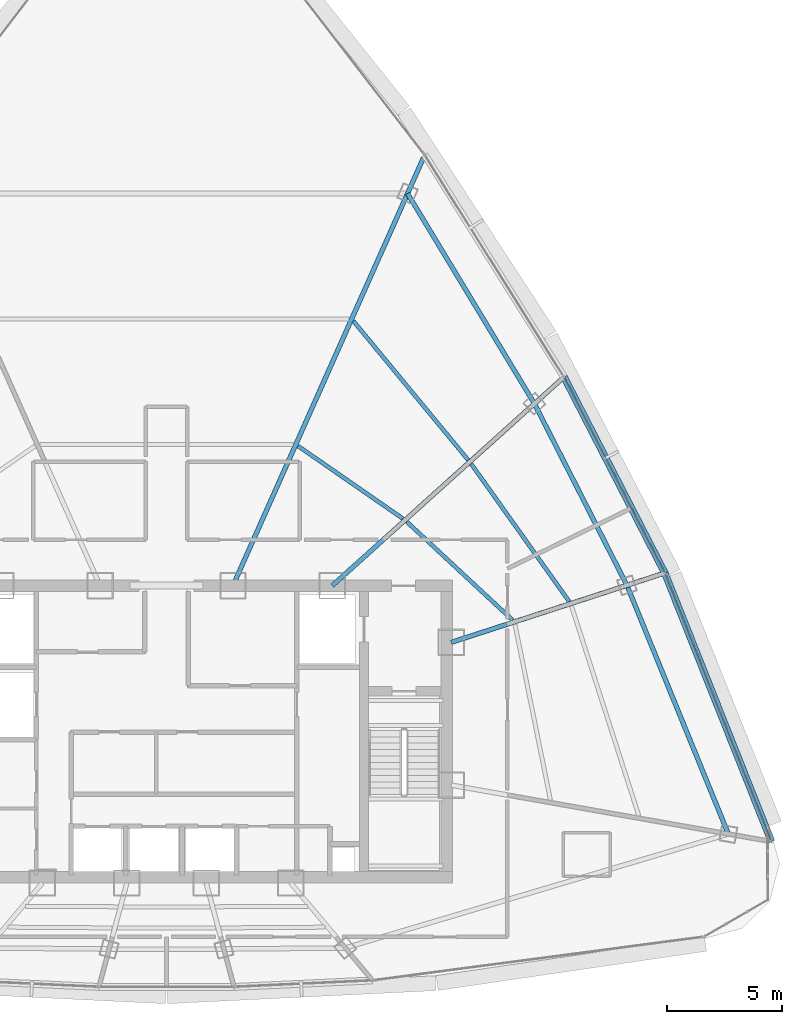
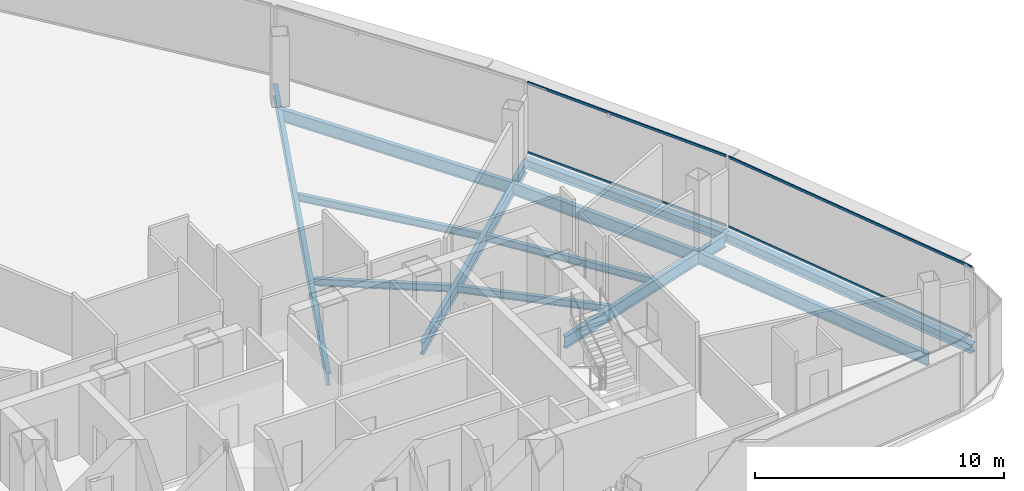
# One storey, part 13 of 29: 12 beams, 4 members, 2 elements without a shape of their own.
"""IFC4 building model written with IfcOpenShell, lengths in metres."""

from ifc_helpers import new_model, si_unit, direction, frame, origin, origin_2d, place, context, subcontext, project, spatial, hollow_rectangle, i_section, extrude, source, transform, mapped, material, layer, layer_set, material_profile, profile_set, type_object, element, aggregate, save


model = new_model("IFC4")

# Units and contexts
model_context = context("Model", 3, precision=1e-05, world=origin(), true_north=direction((0.0, 1.0)))
body_context = subcontext(model_context, "Body", "Model", "MODEL_VIEW")
ifc_project = project(units=[si_unit("LENGTHUNIT", "METRE"), si_unit("AREAUNIT", "SQUARE_METRE"), si_unit("VOLUMEUNIT", "CUBIC_METRE"), si_unit("PLANEANGLEUNIT", "RADIAN"), si_unit("MASSUNIT", "GRAM", prefix="KILO"), si_unit("THERMODYNAMICTEMPERATUREUNIT", "KELVIN"), si_unit("POWERUNIT", "WATT")], contexts=[model_context])

# Site, building, storey
site_placement = place(None, origin())
site = spatial("IfcSite", under=ifc_project, at=site_placement, CompositionType="ELEMENT")
building_placement = place(site_placement, origin())
building = spatial("IfcBuilding", under=site, at=building_placement, Name="Yunzhuo Pagoda Commons", CompositionType="ELEMENT")
storey_placement = place(building_placement, frame((0.0, 0.0, 363.010009765625)))
storey = spatial("IfcBuildingStorey", under=building, at=storey_placement, Name="L91", CompositionType="ELEMENT", Elevation=363.010009765625)

# Beams
ifc_material_1 = material(Name="Structural steel Q355B", Category="steel")
ifc_material_profile_1 = material_profile(ifc_material_1, i_section(OverallWidth=0.199951171875, OverallDepth=0.60009765625, WebThickness=0.010986328125, FlangeThickness=0.01708984375, at=origin_2d()), Name="Structural steel Q355B")
ifc_profile_set_1 = profile_set([ifc_material_profile_1], Name="Structural steel Q355B")
beam_type_1 = type_object("IfcBeamType", Name="B-RG3 Beam HN 600x200x11x17", PredefinedType="BEAM", material=ifc_profile_set_1)
shared_shape_1 = source(origin(), body_context, "Body", "SweptSolid", [
    extrude(i_section(OverallWidth=0.199951171875, OverallDepth=0.60009765625, WebThickness=0.010986328125, FlangeThickness=0.01708984375, at=origin_2d()), origin(), (0.0, 0.0, 1.0), 11.696533203125),
])
beam_1_placement = place(storey_placement, frame((72.47021484375, 29.38525390625, -0.56005859375), z_axis=(-0.377611800863, 0.925963999219, 0.0), x_axis=(-0.925963999219, -0.377611800863, 0.0)))
element("IfcBeam", 1, at=beam_1_placement, inside=storey, type_object=beam_type_1, Name="L91 column-ring beam 5", PredefinedType="BEAM", context=body_context, shape_type="MappedRepresentation", body=[
    mapped(shared_shape_1, transform((0.0, 0.0, 0.0), scale=1.0)),
])
shared_shape_2 = source(origin(), body_context, "Body", "SweptSolid", [
    extrude(i_section(OverallWidth=0.199951171875, OverallDepth=0.60009765625, WebThickness=0.010986328125, FlangeThickness=0.01708984375, at=origin_2d()), origin(), (0.0, 0.0, 1.0), 8.87939453125),
])
beam_2_placement = place(storey_placement, frame((68.053466796875, 40.2158203125, -0.56005859375), z_axis=(-0.453723535687, 0.891142498798, 0.0), x_axis=(-0.891142498798, -0.453723535687, 0.0)))
element("IfcBeam", 2, at=beam_2_placement, inside=storey, type_object=beam_type_1, Name="L91 column-ring beam 6", PredefinedType="BEAM", context=body_context, shape_type="MappedRepresentation", body=[
    mapped(shared_shape_2, transform((0.0, 0.0, 0.0), scale=1.0)),
])
shared_shape_3 = source(origin(), body_context, "Body", "SweptSolid", [
    extrude(i_section(OverallWidth=0.199951171875, OverallDepth=0.60009765625, WebThickness=0.010986328125, FlangeThickness=0.01708984375, at=origin_2d()), origin(), (0.0, 0.0, 1.0), 10.691162109375),
])
beam_3_placement = place(storey_placement, frame((64.024658203125, 48.128662109375, -0.56005859375), z_axis=(-0.516864678433, 0.856067114301, 0.0), x_axis=(-0.856067114301, -0.516864678433, 0.0)))
element("IfcBeam", 3, at=beam_3_placement, inside=storey, type_object=beam_type_1, Name="L91 column-ring beam 7", PredefinedType="BEAM", context=body_context, shape_type="MappedRepresentation", body=[
    mapped(shared_shape_3, transform((0.0, 0.0, 0.0), scale=1.0)),
])
ifc_material_profile_2 = material_profile(ifc_material_1, i_section(OverallWidth=0.175048828125, OverallDepth=0.35009765625, WebThickness=0.007080078125, FlangeThickness=0.010986328125, at=origin_2d()), Name="Structural steel Q355B")
ifc_profile_set_2 = profile_set([ifc_material_profile_2], Name="Structural steel Q355B")
beam_type_2 = type_object("IfcBeamType", Name="B-JS2 Joist HN 350x175x7x11", PredefinedType="JOIST", material=ifc_profile_set_2)
shared_shape_4 = source(origin(), body_context, "Body", "SweptSolid", [
    extrude(i_section(OverallWidth=0.175048828125, OverallDepth=0.35009765625, WebThickness=0.007080078125, FlangeThickness=0.010986328125, at=origin_2d()), origin(), (0.0, 0.0, 1.0), 6.277099609375),
])
beam_4_placement = place(storey_placement, frame((63.071044921875, 38.702392578125, -0.43505859375), z_axis=(-0.73244154109, 0.68082992655, 0.0), x_axis=(-0.68082992655, -0.73244154109, 0.0)))
element("IfcBeam", 4, at=beam_4_placement, inside=storey, type_object=beam_type_2, Name="L91 composite ring joist 1.6", PredefinedType="JOIST", context=body_context, shape_type="MappedRepresentation", body=[
    mapped(shared_shape_4, transform((0.0, 0.0, 0.0), scale=1.0)),
])
shared_shape_5 = source(origin(), body_context, "Body", "SweptSolid", [
    extrude(i_section(OverallWidth=0.175048828125, OverallDepth=0.35009765625, WebThickness=0.007080078125, FlangeThickness=0.010986328125, at=origin_2d()), origin(), (0.0, 0.0, 1.0), 7.347900390625),
])
beam_5_placement = place(storey_placement, frame((65.53759765625, 39.513671875, -0.43505859375), z_axis=(-0.580294898948, 0.814406428177, 0.0), x_axis=(-0.814406428177, -0.580294898948, 0.0)))
element("IfcBeam", 5, at=beam_5_placement, inside=storey, type_object=beam_type_2, Name="L91 composite ring joist 2.6", PredefinedType="JOIST", context=body_context, shape_type="MappedRepresentation", body=[
    mapped(shared_shape_5, transform((0.0, 0.0, 0.0), scale=1.0)),
])
shared_shape_6 = source(origin(), body_context, "Body", "SweptSolid", [
    extrude(i_section(OverallWidth=0.175048828125, OverallDepth=0.35009765625, WebThickness=0.007080078125, FlangeThickness=0.010986328125, at=origin_2d()), origin(), (0.0, 0.0, 1.0), 5.556640625),
])
beam_6_placement = place(storey_placement, frame((58.29443359375, 43.119873046875, -0.43505859375), z_axis=(-0.822084621883, 0.569365326011, 0.0), x_axis=(-0.569365326011, -0.822084621883, 0.0)))
element("IfcBeam", 6, at=beam_6_placement, inside=storey, type_object=beam_type_2, Name="L91 composite ring joist 1.7", PredefinedType="JOIST", context=body_context, shape_type="MappedRepresentation", body=[
    mapped(shared_shape_6, transform((0.0, 0.0, 0.0), scale=1.0)),
])
shared_shape_7 = source(origin(), body_context, "Body", "SweptSolid", [
    extrude(i_section(OverallWidth=0.175048828125, OverallDepth=0.35009765625, WebThickness=0.007080078125, FlangeThickness=0.010986328125, at=origin_2d()), origin(), (0.0, 0.0, 1.0), 7.842529296875),
])
beam_7_placement = place(storey_placement, frame((61.133544921875, 45.68017578125, -0.43505859375), z_axis=(-0.636899145749, 0.770947130577, 0.0), x_axis=(-0.770947130577, -0.636899145749, 0.0)))
element("IfcBeam", 7, at=beam_7_placement, inside=storey, type_object=beam_type_2, Name="L91 composite ring joist 2.7", PredefinedType="JOIST", context=body_context, shape_type="MappedRepresentation", body=[
    mapped(shared_shape_7, transform((0.0, 0.0, 0.0), scale=1.0)),
])
shared_shape_8 = source(origin(), body_context, "Body", "SweptSolid", [
    extrude(i_section(OverallWidth=0.199951171875, OverallDepth=0.60009765625, WebThickness=0.010986328125, FlangeThickness=0.01708984375, at=origin_2d()), origin(), (0.0, 0.0, 1.0), 9.62841796875),
])
beam_8_placement = place(storey_placement, frame((69.55712890625, 40.704345703125, -0.56005859375), z_axis=(-0.951057171816, -0.309014976883, 0.0), x_axis=(0.309014976883, -0.951057171816, 0.0)))
element("IfcBeam", 8, at=beam_8_placement, inside=storey, type_object=beam_type_1, Name="L91 radial floor girder F2C2", PredefinedType="BEAM", context=body_context, shape_type="MappedRepresentation", body=[
    mapped(shared_shape_8, transform((0.0, 0.0, 0.0), scale=1.0)),
])
shared_shape_9 = source(origin(), body_context, "Body", "SweptSolid", [
    extrude(i_section(OverallWidth=0.199951171875, OverallDepth=0.60009765625, WebThickness=0.010986328125, FlangeThickness=0.01708984375, at=origin_2d()), origin(), (0.0, 0.0, 1.0), 13.429931640625),
])
beam_9_placement = place(storey_placement, frame((65.199462890625, 49.186279296875, -0.56005859375), z_axis=(-0.743149501928, -0.669125412597, 0.0), x_axis=(0.669125412597, -0.743149501928, 0.0)))
element("IfcBeam", 9, at=beam_9_placement, inside=storey, type_object=beam_type_1, Name="L91 radial floor girder F2C3", PredefinedType="BEAM", context=body_context, shape_type="MappedRepresentation", body=[
    mapped(shared_shape_9, transform((0.0, 0.0, 0.0), scale=1.0)),
])
shared_shape_10 = source(origin(), body_context, "Body", "SweptSolid", [
    extrude(i_section(OverallWidth=0.199951171875, OverallDepth=0.60009765625, WebThickness=0.010986328125, FlangeThickness=0.01708984375, at=origin_2d()), origin(), (0.0, 0.0, 1.0), 20.386474609375),
])
beam_10_placement = place(storey_placement, frame((59.185791015625, 58.823974609375, -0.56005859375), z_axis=(-0.40672839734, -0.913549128836, 0.0), x_axis=(0.913549128836, -0.40672839734, 0.0)))
element("IfcBeam", 10, at=beam_10_placement, inside=storey, type_object=beam_type_1, Name="L91 radial floor girder F2C4", PredefinedType="BEAM", context=body_context, shape_type="MappedRepresentation", body=[
    mapped(shared_shape_10, transform((0.0, 0.0, 0.0), scale=1.0)),
])
ifc_material_profile_3 = material_profile(ifc_material_1, i_section(OverallWidth=0.300048828125, OverallDepth=0.43994140625, WebThickness=0.010986328125, FlangeThickness=0.01806640625, at=origin_2d()), Name="Structural steel Q355B")
ifc_profile_set_3 = profile_set([ifc_material_profile_3], Name="Structural steel Q355B")
beam_type_3 = type_object("IfcBeamType", Name="B-SP2 Beam HM 440x300x11x18", PredefinedType="BEAM", material=ifc_profile_set_3)
shared_shape_11 = source(origin(), body_context, "Body", "SweptSolid", [
    extrude(i_section(OverallWidth=0.300048828125, OverallDepth=0.43994140625, WebThickness=0.010986328125, FlangeThickness=0.01806640625, at=origin_2d()), origin(), (0.0, 0.0, 1.0), 12.58642578125),
])
beam_11_placement = place(storey_placement, frame((74.3486328125, 29.053955078125, -0.47998046875), z_axis=(-0.368974795252, 0.929439401182, 0.0), x_axis=(-0.929439401182, -0.368974795252, 0.0)))
element("IfcBeam", 11, at=beam_11_placement, inside=storey, type_object=beam_type_3, Name="L91 facade edge spandrel beam F2.1", PredefinedType="BEAM", context=body_context, shape_type="MappedRepresentation", body=[
    mapped(shared_shape_11, transform((0.0, 0.0, 0.0), scale=1.0)),
])
shared_shape_12 = source(origin(), body_context, "Body", "SweptSolid", [
    extrude(i_section(OverallWidth=0.300048828125, OverallDepth=0.43994140625, WebThickness=0.010986328125, FlangeThickness=0.01806640625, at=origin_2d()), origin(), (0.0, 0.0, 1.0), 9.600341796875),
])
beam_12_placement = place(storey_placement, frame((69.70458984375, 40.752197265625, -0.47998046875), z_axis=(-0.457265841748, 0.889330056824, 0.0), x_axis=(-0.889330056824, -0.457265841748, 0.0)))
element("IfcBeam", 12, at=beam_12_placement, inside=storey, type_object=beam_type_3, Name="L91 facade edge spandrel beam F2.2", PredefinedType="BEAM", context=body_context, shape_type="MappedRepresentation", body=[
    mapped(shared_shape_12, transform((0.0, 0.0, 0.0), scale=1.0)),
])

# Curtain wall, members
ifc_material_2 = material(Name="Anodized aluminium 6063-T6", Category="aluminium")
ifc_layer = layer(ifc_material_2, 0.139892578125)
ifc_layer_set = layer_set([ifc_layer], Name="Anodized aluminium 6063-T6")
curtain_wall_type = type_object("IfcCurtainWallType", Name="CW-HI High-Zone Ribbon Curtain Wall", PredefinedType="NOTDEFINED", material=ifc_layer_set)
curtain_wall_1_placement = place(storey_placement, origin())
curtain_wall_1 = element("IfcCurtainWall", 13, at=curtain_wall_1_placement, inside=storey, type_object=curtain_wall_type, Name="L91 curtain wall CW-L91-F2B2", PredefinedType="NOTDEFINED")
ifc_material_profile_4 = material_profile(ifc_material_2, hollow_rectangle(XDim=0.054931640625, YDim=0.1201171875, WallThickness=0.00341796875, at=origin_2d()), Name="Anodized aluminium 6063-T6")
ifc_profile_set_4 = profile_set([ifc_material_profile_4], Name="Anodized aluminium 6063-T6")
member_type = type_object("IfcMemberType", Name="CW-HI-T Transom RHS 120x55x3.5", PredefinedType="USERDEFINED", material=ifc_profile_set_4)
shared_shape_13 = source(origin(), body_context, "Body", "SweptSolid", [
    extrude(hollow_rectangle(XDim=0.054931640625, YDim=0.1201171875, WallThickness=0.00341796875, at=origin_2d()), origin(), (0.0, 0.0, 1.0), 12.46630859375),
])
member_1_placement = place(storey_placement, frame((74.326416015625, 29.10986328125, 0.027587890625), z_axis=(-0.368965029907, 0.929443277831, 0.0), x_axis=(-0.929443277831, -0.368965029907, 0.0)))
member_1 = element("IfcMember", 14, at=member_1_placement, type_object=member_type, Name="CW transom 1.1", ObjectType="TRANSOM", PredefinedType="USERDEFINED", context=body_context, shape_type="MappedRepresentation", body=[
    mapped(shared_shape_13, transform((0.0, 0.0, 0.0), scale=1.0)),
])
member_2_placement = place(storey_placement, frame((74.326416015625, 29.10986328125, 3.4423828125), z_axis=(-0.368965029907, 0.929443277831, 0.0), x_axis=(-0.929443277831, -0.368965029907, 0.0)))
member_2 = element("IfcMember", 15, at=member_2_placement, type_object=member_type, Name="CW transom 1.2", ObjectType="TRANSOM", PredefinedType="USERDEFINED", context=body_context, shape_type="MappedRepresentation", body=[
    mapped(shared_shape_13, transform((0.0, 0.0, 0.0), scale=1.0)),
])
aggregate(curtain_wall_1, [member_1, member_2])

curtain_wall_2_placement = place(storey_placement, origin())
curtain_wall_2 = element("IfcCurtainWall", 16, at=curtain_wall_2_placement, inside=storey, type_object=curtain_wall_type, Name="L91 curtain wall CW-L91-F2B3", PredefinedType="NOTDEFINED")
shared_shape_14 = source(origin(), body_context, "Body", "SweptSolid", [
    extrude(hollow_rectangle(XDim=0.054931640625, YDim=0.1201171875, WallThickness=0.00341796875, at=origin_2d()), origin(), (0.0, 0.0, 1.0), 9.48046875),
])
member_3_placement = place(storey_placement, frame((69.67724609375, 40.8056640625, 0.027587890625), z_axis=(-0.457279931988, 0.88932281192, 0.0), x_axis=(-0.88932281192, -0.457279931988, 0.0)))
member_3 = element("IfcMember", 17, at=member_3_placement, type_object=member_type, Name="CW transom 1.1", ObjectType="TRANSOM", PredefinedType="USERDEFINED", context=body_context, shape_type="MappedRepresentation", body=[
    mapped(shared_shape_14, transform((0.0, 0.0, 0.0), scale=1.0)),
])
member_4_placement = place(storey_placement, frame((69.67724609375, 40.8056640625, 3.4423828125), z_axis=(-0.457279931988, 0.88932281192, 0.0), x_axis=(-0.88932281192, -0.457279931988, 0.0)))
member_4 = element("IfcMember", 18, at=member_4_placement, type_object=member_type, Name="CW transom 1.2", ObjectType="TRANSOM", PredefinedType="USERDEFINED", context=body_context, shape_type="MappedRepresentation", body=[
    mapped(shared_shape_14, transform((0.0, 0.0, 0.0), scale=1.0)),
])
aggregate(curtain_wall_2, [member_3, member_4])

save(model, "model.ifc")
